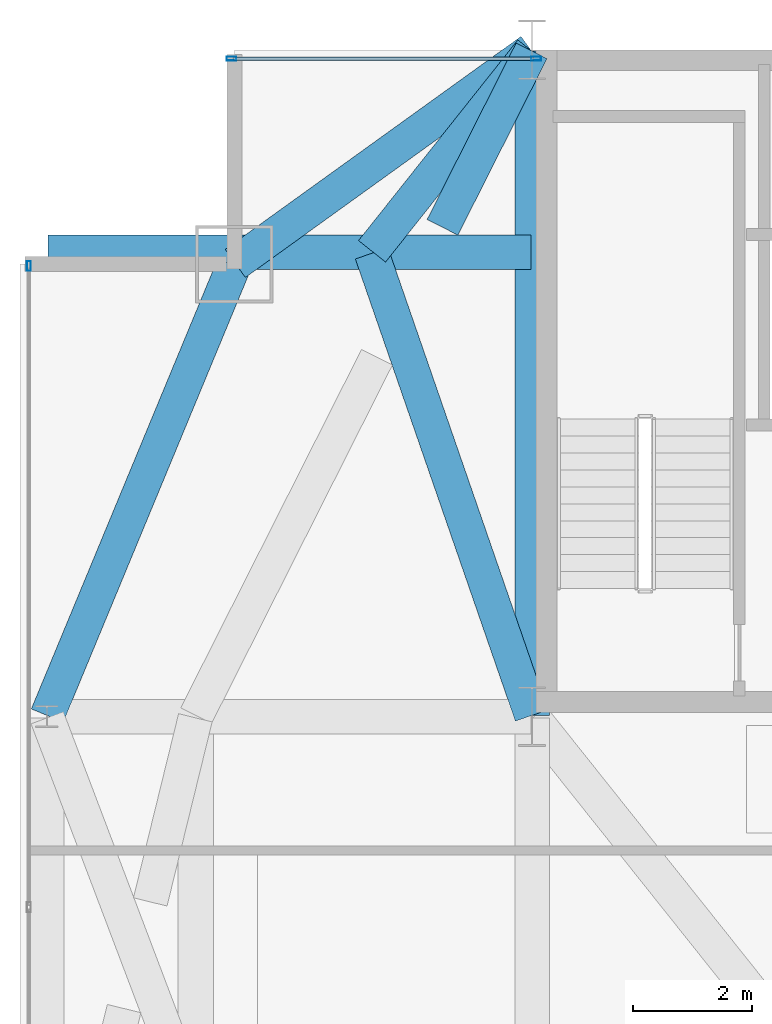
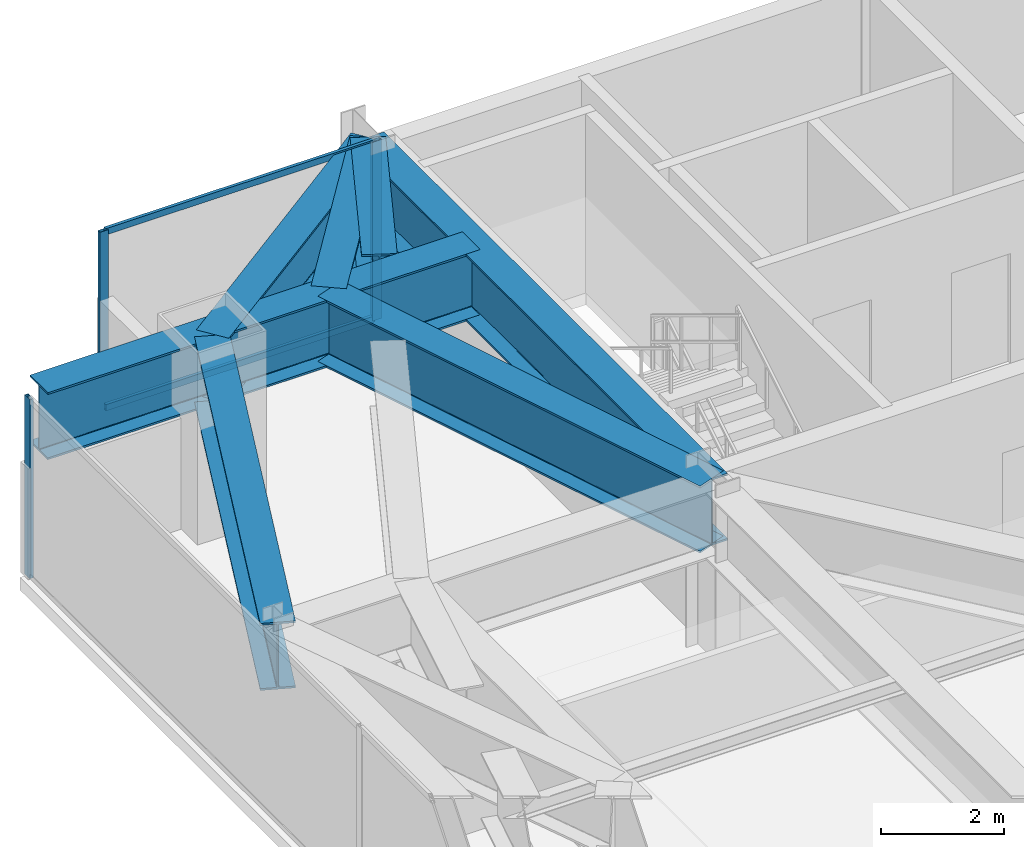
# One storey, part 20 of 26: 7 beams, 5 members, 2 elements without a shape of their own.
"""IFC4 building model written with IfcOpenShell, lengths in metres."""

import ifcopenshell
import ifcopenshell.guid

model = None  # the IFC model being written
_history = None  # IfcOwnerHistory: only IFC2X3 demands one
_inside = {}  # id of a spatial element -> (the spatial element, [elements in it])
_under = {}  # id of a project, library or spatial element -> (it, [spatial elements below it])
_declared = {}  # id of a project -> (the project, [libraries it declares])
_typed = {}  # id of a type object -> (the type object, [elements of that type])
_made_of = {}  # id of a material, layer set ... -> (it, [elements and type objects made of it])


def new_model(schema):
    """Start an empty IFC model of exactly this schema.

    Asked for "IFC4X3", IfcOpenShell would pick the latest addendum, in which some entities
    have other attributes; the version numbers below select the first issue.
    IFC2X3 requires an IfcOwnerHistory on every rooted entity: one is made here for all.
    """
    global model, _history
    if schema == "IFC4X3":
        model = ifcopenshell.file(schema_version=(4, 3, 0, 0))
    else:
        model = ifcopenshell.file(schema=schema)
    _inside.clear()
    _under.clear()
    _declared.clear()
    _typed.clear()
    _made_of.clear()
    _history = None
    if model.schema == "IFC2X3":
        org = make("IfcOrganization", Name="unknown")
        user = make(
            "IfcPersonAndOrganization",
            ThePerson=make("IfcPerson", FamilyName="unknown"),
            TheOrganization=org,
        )
        app = make(
            "IfcApplication",
            ApplicationDeveloper=org,
            Version="unknown",
            ApplicationFullName="unknown",
            ApplicationIdentifier="unknown",
        )
        _history = make(
            "IfcOwnerHistory",
            OwningUser=user,
            OwningApplication=app,
            ChangeAction="ADDED",
            CreationDate=0,
        )
    return model


def make(cls, **values):
    """One entity of the class cls with the attributes given. An attribute that is None is left unset."""
    return model.create_entity(
        cls, **{name: value for name, value in values.items() if value is not None}
    )


def rooted(cls, **values):
    """An entity with a GlobalId (a new one), such as an element, a storey or a relation."""
    return make(cls, GlobalId=ifcopenshell.guid.new(), OwnerHistory=_history, **values)


def si_unit(unit_type, name, prefix=None):
    """IfcSIUnit, for example si_unit("LENGTHUNIT", "METRE", prefix="MILLI")."""
    return make("IfcSIUnit", UnitType=unit_type, Prefix=prefix, Name=name)


def assignment(units):
    """IfcUnitAssignment: the units of a project."""
    return None if units is None else make("IfcUnitAssignment", Units=units)


def point(xyz):
    """IfcCartesianPoint."""
    return None if xyz is None else make("IfcCartesianPoint", Coordinates=xyz)


def direction(xyz):
    """IfcDirection."""
    return None if xyz is None else make("IfcDirection", DirectionRatios=xyz)


def frame(location, z_axis=None, x_axis=None):
    """IfcAxis2Placement3D, a coordinate frame: its origin and axes. An axis left out is left unset."""
    return make(
        "IfcAxis2Placement3D",
        Location=point(location),
        Axis=direction(z_axis),
        RefDirection=direction(x_axis),
    )


def frame_2d(location, x_axis=None):
    """IfcAxis2Placement2D, a coordinate frame in the plane: its origin and x axis."""
    return make(
        "IfcAxis2Placement2D", Location=point(location), RefDirection=direction(x_axis)
    )


def origin():
    """The frame at (0, 0, 0) with its axes left unset."""
    return frame((0.0, 0.0, 0.0))


def origin_2d():
    """The frame at (0, 0) in the plane with its x axis left unset."""
    return frame_2d((0.0, 0.0))


def place(relative_to, where):
    """IfcLocalPlacement: puts the frame where relative to a parent placement (None: the world)."""
    return make(
        "IfcLocalPlacement", PlacementRelTo=relative_to, RelativePlacement=where
    )


def context(
    kind, dimensions, precision=None, world=None, true_north=None, identifier=None
):
    """IfcGeometricRepresentationContext, for example the 3D "Model" context."""
    return make(
        "IfcGeometricRepresentationContext",
        ContextIdentifier=identifier,
        ContextType=kind,
        CoordinateSpaceDimension=dimensions,
        Precision=precision,
        WorldCoordinateSystem=world,
        TrueNorth=true_north,
    )


def subcontext(parent, identifier, kind, view, scale=None):
    """IfcGeometricRepresentationSubContext, for example "Body" below "Model"."""
    return make(
        "IfcGeometricRepresentationSubContext",
        ContextIdentifier=identifier,
        ContextType=kind,
        ParentContext=parent,
        TargetScale=scale,
        TargetView=view,
    )


def project(units=None, contexts=None):
    """IfcProject with its units and contexts."""
    return rooted(
        "IfcProject",
        Name="project",
        RepresentationContexts=contexts,
        UnitsInContext=assignment(units),
    )


def spatial(cls, under=None, at=None, **own):
    """A site, building, storey or space (cls), placed at a placement, below another one or the project."""
    s = rooted(cls, ObjectPlacement=at, **own)
    if under is not None:
        _under.setdefault(under.id(), (under, []))[1].append(s)
    return s


def profile(cls, at=None, kind="AREA", **sizes):
    """A parametric profile (cls). Its sizes go by their IFC names, for example OverallWidth=200.0."""
    return make(cls, ProfileType=kind, Position=at, **sizes)


def hollow_rectangle(**sizes):
    """IfcRectangleHollowProfileDef."""
    return profile("IfcRectangleHollowProfileDef", **sizes)


def i_section(**sizes):
    """IfcIShapeProfileDef."""
    return profile("IfcIShapeProfileDef", **sizes)


def extrude(swept, where, along, depth):
    """IfcExtrudedAreaSolid: the profile swept, set in the frame where, extruded along a direction by depth."""
    return make(
        "IfcExtrudedAreaSolid",
        SweptArea=swept,
        Position=where,
        ExtrudedDirection=direction(along),
        Depth=depth,
    )


def shape(context_of_items, identifier, shape_type, items):
    """IfcShapeRepresentation: the items that make up one representation, for example the "Body"."""
    return make(
        "IfcShapeRepresentation",
        ContextOfItems=context_of_items,
        RepresentationIdentifier=identifier,
        RepresentationType=shape_type,
        Items=items,
    )


def source(mapping_origin, context_of_items, identifier, shape_type, items):
    """IfcRepresentationMap: a shape defined once, which mapped items show again and again."""
    return make(
        "IfcRepresentationMap",
        MappingOrigin=mapping_origin,
        MappedRepresentation=shape(context_of_items, identifier, shape_type, items),
    )


def transform(
    local_origin,
    x_axis=None,
    y_axis=None,
    z_axis=None,
    scale=None,
    scale2=None,
    scale3=None,
    uniform=True,
):
    """IfcCartesianTransformationOperator3D, or its non-uniform kind. x_axis, y_axis, z_axis: its Axis1, 2, 3."""
    if uniform:
        return make(
            "IfcCartesianTransformationOperator3D",
            Axis1=direction(x_axis),
            Axis2=direction(y_axis),
            LocalOrigin=point(local_origin),
            Scale=scale,
            Axis3=direction(z_axis),
        )
    return make(
        "IfcCartesianTransformationOperator3DnonUniform",
        Axis1=direction(x_axis),
        Axis2=direction(y_axis),
        LocalOrigin=point(local_origin),
        Scale=scale,
        Axis3=direction(z_axis),
        Scale2=scale2,
        Scale3=scale3,
    )


def mapped(mapping_source, mapping_target):
    """IfcMappedItem: shows the shape of a source again, moved by a transform."""
    return make(
        "IfcMappedItem", MappingSource=mapping_source, MappingTarget=mapping_target
    )


def material(Name=None, Category=None):
    """IfcMaterial."""
    return make("IfcMaterial", Name=Name, Category=Category)


def layer(
    of_material, thickness, ventilated=None, Name=None, Category=None, Priority=None
):
    """IfcMaterialLayer: one layer of a wall or slab, of a material (None: an air gap)."""
    return make(
        "IfcMaterialLayer",
        Material=of_material,
        LayerThickness=thickness,
        IsVentilated=ventilated,
        Name=Name,
        Category=Category,
        Priority=Priority,
    )


def layer_set(layers, Name=None):
    """IfcMaterialLayerSet."""
    return make("IfcMaterialLayerSet", MaterialLayers=layers, LayerSetName=Name)


def material_profile(
    of_material, cross_section, Name=None, Category=None, Priority=None
):
    """IfcMaterialProfile: a cross section and its material."""
    return make(
        "IfcMaterialProfile",
        Name=Name,
        Material=of_material,
        Profile=cross_section,
        Priority=Priority,
        Category=Category,
    )


def profile_set(profiles, Name=None, composite=None):
    """IfcMaterialProfileSet."""
    return make(
        "IfcMaterialProfileSet",
        Name=Name,
        MaterialProfiles=profiles,
        CompositeProfile=composite,
    )


def made_of(thing, what):
    """Note that an element or type object is made of a material, layer set ...; save() writes the relation."""
    if what is not None:
        _made_of.setdefault(what.id(), (what, []))[1].append(thing)
    return thing


def type_object(cls, material=None, **own):
    """A type object (cls), such as IfcWallType, which elements share."""
    return made_of(rooted(cls, **own), material)


def type_shapes(of_type, sources):
    """Give a type object the sources (RepresentationMaps) that its elements show as mapped items."""
    of_type.RepresentationMaps = sources


def element(
    cls,
    number,
    at=None,
    inside=None,
    cuts=None,
    type_object=None,
    material=None,
    context=None,
    identifier="Body",
    shape_type=None,
    held_by="IfcProductDefinitionShape",
    body=None,
    shapes=None,
    **own,
):
    """One element of the class cls, such as IfcWall. Its Tag is "e" and its number.

    at: its placement. inside: the storey or other place that contains it. cuts: it is an
    opening in that element (IfcRelVoidsElement). A single representation is given by context,
    identifier, shape_type and body (its items); several are given by shapes. held_by: the class
    of the entity that holds the representations. save() writes the other relations.
    """
    e = rooted(cls, Tag="e%d" % number, ObjectPlacement=at, **own)
    if body is not None:
        shapes = [shape(context, identifier, shape_type, body)]
    if shapes is not None:
        e.Representation = make(held_by, Representations=shapes)
    if inside is not None:
        _inside.setdefault(inside.id(), (inside, []))[1].append(e)
    if cuts is not None:
        rooted(
            "IfcRelVoidsElement", RelatingBuildingElement=cuts, RelatedOpeningElement=e
        )
    if type_object is not None:
        _typed.setdefault(type_object.id(), (type_object, []))[1].append(e)
    return made_of(e, material)


def aggregate(whole, parts):
    """IfcRelAggregates: a whole, such as a stair, and the parts it consists of."""
    return rooted("IfcRelAggregates", RelatingObject=whole, RelatedObjects=parts)


def save(model, path):
    """Write the relations noted so far, then the file.

    IfcRelAggregates (storeys below a building ...), IfcRelContainedInSpatialStructure (elements
    in a storey), IfcRelDefinesByType, IfcRelAssociatesMaterial and IfcRelDeclares: one each for
    every whole, place, type object, material and project.
    """
    for whole, parts in _under.values():
        aggregate(whole, parts)
    for where, things in _inside.values():
        rooted(
            "IfcRelContainedInSpatialStructure",
            RelatedElements=things,
            RelatingStructure=where,
        )
    for kind, things in _typed.values():
        rooted("IfcRelDefinesByType", RelatedObjects=things, RelatingType=kind)
    for what, things in _made_of.values():
        rooted("IfcRelAssociatesMaterial", RelatedObjects=things, RelatingMaterial=what)
    for by, libraries in _declared.values():
        rooted("IfcRelDeclares", RelatingContext=by, RelatedDefinitions=libraries)
    model.write(path)


model = new_model("IFC4")

# Units and contexts
model_context = context("Model", 3, precision=1e-05, world=origin(), true_north=direction((0.0, 1.0)))
body_context = subcontext(model_context, "Body", "Model", "MODEL_VIEW")
ifc_project = project(units=[si_unit("LENGTHUNIT", "METRE"), si_unit("AREAUNIT", "SQUARE_METRE"), si_unit("VOLUMEUNIT", "CUBIC_METRE"), si_unit("PLANEANGLEUNIT", "RADIAN"), si_unit("MASSUNIT", "GRAM", prefix="KILO")], contexts=[model_context])

# Site, building, storey
site_placement = place(None, origin())
site = spatial("IfcSite", under=ifc_project, at=site_placement, CompositionType="ELEMENT")
building_placement = place(site_placement, origin())
building = spatial("IfcBuilding", under=site, at=building_placement, Name="Varnel Quay Broadcast Tower", CompositionType="ELEMENT")
storey_placement = place(building_placement, frame((0.0, 0.0, 196.0)))
storey = spatial("IfcBuildingStorey", under=building, at=storey_placement, Name="L48", CompositionType="ELEMENT", Elevation=196.0)

# Beams
ifc_material_1 = material(Name="Structural Steel CSA G40.21 350WT", Category="steel")
ifc_material_profile_1 = material_profile(ifc_material_1, i_section(OverallWidth=0.580078125, OverallDepth=1.330078125, WebThickness=0.02197265625, FlangeThickness=0.0380859375, FilletRadius=0.02001953125, at=origin_2d()), Name="WWF1330X535")
ifc_profile_set_1 = profile_set([ifc_material_profile_1], Name="Structural Steel CSA G40.21 350WT")
beam_type = type_object("IfcBeamType", Name="Girder_WWF1330X535", PredefinedType="BEAM", material=ifc_profile_set_1)
shared_shape_1 = source(origin(), body_context, "Body", "SweptSolid", [
    extrude(i_section(OverallWidth=0.580078125, OverallDepth=1.330078125, WebThickness=0.02197265625, FlangeThickness=0.0380859375, FilletRadius=0.02001953125, at=origin_2d()), origin(), (0.0, 0.0, 1.0), 11.159912109375),
])
beam_1_placement = place(storey_placement, frame((15.60009765625, 35.6201171875, 2.885009765625), z_axis=(0.0, 1.0, 0.0), x_axis=(-1.0, 0.0, 0.0)))
element("IfcBeam", 1, at=beam_1_placement, inside=storey, type_object=beam_type, Name="L48 West Core Spine", PredefinedType="BEAM", context=body_context, shape_type="MappedRepresentation", body=[
    mapped(shared_shape_1, transform((0.0, 0.0, 0.0), x_axis=(1.0, 0.0, 0.0), y_axis=(0.0, 1.0, 0.0), z_axis=(0.0, 0.0, 1.0), scale=1.0)),
])
shared_shape_2 = source(origin(), body_context, "Body", "SweptSolid", [
    extrude(i_section(OverallWidth=0.580078125, OverallDepth=1.330078125, WebThickness=0.02197265625, FlangeThickness=0.0380859375, FilletRadius=0.02001953125, at=origin_2d()), origin(), (0.0, 0.0, 1.0), 8.186767578125),
])
beam_2_placement = place(storey_placement, frame((7.457763671875, 35.618408203125, 2.885009765625), z_axis=(0.382874132092, 0.923800519038, 0.0), x_axis=(-0.923800519038, 0.382874132092, 0.0)))
element("IfcBeam", 2, at=beam_2_placement, inside=storey, type_object=beam_type, Name="L48 West Transfer Spine TC-W3-MC-NW", PredefinedType="BEAM", context=body_context, shape_type="MappedRepresentation", body=[
    mapped(shared_shape_2, transform((0.0, 0.0, 0.0), x_axis=(1.0, 0.0, 0.0), y_axis=(0.0, 1.0, 0.0), z_axis=(0.0, 0.0, 1.0), scale=1.0)),
])
shared_shape_3 = source(origin(), body_context, "Body", "SweptSolid", [
    extrude(i_section(OverallWidth=0.580078125, OverallDepth=1.330078125, WebThickness=0.02197265625, FlangeThickness=0.0380859375, FilletRadius=0.02001953125, at=origin_2d()), origin(), (0.0, 0.0, 1.0), 6.12109375),
])
beam_3_placement = place(storey_placement, frame((10.6162109375, 43.211669921875, 2.885009765625), z_axis=(0.811531315425, 0.584308928637, 0.0), x_axis=(-0.584308928637, 0.811531315425, 0.0)))
element("IfcBeam", 3, at=beam_3_placement, inside=storey, type_object=beam_type, Name="L48 NW Transfer Spine", PredefinedType="BEAM", context=body_context, shape_type="MappedRepresentation", body=[
    mapped(shared_shape_3, transform((0.0, 0.0, 0.0), x_axis=(1.0, 0.0, 0.0), y_axis=(0.0, 1.0, 0.0), z_axis=(0.0, 0.0, 1.0), scale=1.0)),
])
shared_shape_4 = source(origin(), body_context, "Body", "SweptSolid", [
    extrude(i_section(OverallWidth=0.580078125, OverallDepth=1.330078125, WebThickness=0.02197265625, FlangeThickness=0.0380859375, FilletRadius=0.02001953125, at=origin_2d()), origin(), (0.0, 0.0, 1.0), 8.110107421875),
])
beam_4_placement = place(storey_placement, frame((7.469970703125, 43.39990234375, 2.885009765625), z_axis=(1.0, 0.0, 0.0), x_axis=(0.0, 1.0, 0.0)))
element("IfcBeam", 4, at=beam_4_placement, inside=storey, type_object=beam_type, Name="L48 Setback NW Mega-Column Transfer", PredefinedType="BEAM", context=body_context, shape_type="MappedRepresentation", body=[
    mapped(shared_shape_4, transform((0.0, 0.0, 0.0), x_axis=(1.0, 0.0, 0.0), y_axis=(0.0, 1.0, 0.0), z_axis=(0.0, 0.0, 1.0), scale=1.0)),
])
shared_shape_5 = source(origin(), body_context, "Body", "SweptSolid", [
    extrude(i_section(OverallWidth=0.580078125, OverallDepth=1.330078125, WebThickness=0.02197265625, FlangeThickness=0.0380859375, FilletRadius=0.02001953125, at=origin_2d()), origin(), (0.0, 0.0, 1.0), 4.301513671875),
])
beam_5_placement = place(storey_placement, frame((15.587646484375, 46.7841796875, 2.885009765625), z_axis=(-0.621936399401, -0.783067758946, 0.0), x_axis=(0.783067758946, -0.621936399401, 0.0)))
element("IfcBeam", 5, at=beam_5_placement, inside=storey, type_object=beam_type, Name="L48 Nodal Transfer Tie MC-NW-CC-N1", PredefinedType="BEAM", context=body_context, shape_type="MappedRepresentation", body=[
    mapped(shared_shape_5, transform((0.0, 0.0, 0.0), x_axis=(1.0, 0.0, 0.0), y_axis=(0.0, 1.0, 0.0), z_axis=(0.0, 0.0, 1.0), scale=1.0)),
])
shared_shape_6 = source(origin(), body_context, "Body", "SweptSolid", [
    extrude(i_section(OverallWidth=0.580078125, OverallDepth=1.330078125, WebThickness=0.02197265625, FlangeThickness=0.0380859375, FilletRadius=0.02001953125, at=origin_2d()), origin(), (0.0, 0.0, 1.0), 8.214111328125),
])
beam_6_placement = place(storey_placement, frame((15.593505859375, 35.618896484375, 2.885009765625), z_axis=(-0.327120772227, 0.944982539721, 0.0), x_axis=(-0.944982539721, -0.327120772227, 0.0)))
element("IfcBeam", 6, at=beam_6_placement, inside=storey, type_object=beam_type, Name="L48 X-Braced Transfer Tie MC-NW-CC-S1", PredefinedType="BEAM", context=body_context, shape_type="MappedRepresentation", body=[
    mapped(shared_shape_6, transform((0.0, 0.0, 0.0), x_axis=(1.0, 0.0, 0.0), y_axis=(0.0, 1.0, 0.0), z_axis=(0.0, 0.0, 1.0), scale=1.0)),
])
shared_shape_7 = source(origin(), body_context, "Body", "SweptSolid", [
    extrude(i_section(OverallWidth=0.580078125, OverallDepth=1.330078125, WebThickness=0.02197265625, FlangeThickness=0.0380859375, FilletRadius=0.02001953125, at=origin_2d()), origin(), (0.0, 0.0, 1.0), 3.320068359375),
])
type_shapes(beam_type, [shared_shape_1, shared_shape_2, shared_shape_3, shared_shape_4, shared_shape_5, shared_shape_6, shared_shape_7])
beam_7_placement = place(storey_placement, frame((15.591064453125, 46.781982421875, 2.885009765625), z_axis=(-0.450416955511, -0.89281832765, 0.0), x_axis=(0.89281832765, -0.450416955511, 0.0)))
element("IfcBeam", 7, at=beam_7_placement, inside=storey, type_object=beam_type, Name="L48 X-Braced Transfer Tie TC-W3-CC-N1 Part 1", PredefinedType="BEAM", context=body_context, shape_type="MappedRepresentation", body=[
    mapped(shared_shape_7, transform((0.0, 0.0, 0.0), x_axis=(1.0, 0.0, 0.0), y_axis=(0.0, 1.0, 0.0), z_axis=(0.0, 0.0, 1.0), scale=1.0)),
])

# Curtain wall, member
ifc_material_2 = material(Name="Anodised Bronze Aluminium 6063-T6", Category="aluminium")
ifc_layer = layer(ifc_material_2, 0.18994140625, Name="Anodised Bronze Aluminium 6063-T6")
ifc_layer_set = layer_set([ifc_layer], Name="Anodised Bronze Aluminium 6063-T6")
curtain_wall_type = type_object("IfcCurtainWallType", Name="CW_UpperTower", PredefinedType="NOTDEFINED", material=ifc_layer_set)
curtain_wall_1_placement = place(storey_placement, origin())
curtain_wall_1 = element("IfcCurtainWall", 8, at=curtain_wall_1_placement, inside=storey, type_object=curtain_wall_type, Name="L48 West Unitised Curtain Wall", PredefinedType="NOTDEFINED")
ifc_material_profile_2 = material_profile(ifc_material_2, hollow_rectangle(XDim=0.06494140625, YDim=0.1650390625, WallThickness=0.00341796875, at=origin_2d()), Name="ALU65X165X3.5")
ifc_profile_set_2 = profile_set([ifc_material_profile_2], Name="Anodised Bronze Aluminium 6063-T6")
member_type_1 = type_object("IfcMemberType", Name="Mull_CWS-03", PredefinedType="MULLION", material=ifc_profile_set_2)
shared_shape_8 = source(origin(), body_context, "Body", "SweptSolid", [
    extrude(hollow_rectangle(XDim=0.06494140625, YDim=0.1650390625, WallThickness=0.00341796875, at=origin_2d()), origin(), (0.0, 0.0, 1.0), 3.550048828125),
])
type_shapes(member_type_1, [shared_shape_8])
member_1_placement = place(storey_placement, frame((7.14990234375, 43.16748046875, 0.0), z_axis=(0.0, 0.0, 1.0), x_axis=(-1.0, 0.0, 0.0)))
member_1 = element("IfcMember", 9, at=member_1_placement, type_object=member_type_1, Name="CWS-03 mullion 4", PredefinedType="MULLION", context=body_context, shape_type="MappedRepresentation", body=[
    mapped(shared_shape_8, transform((0.0, 0.0, 0.0), x_axis=(1.0, 0.0, 0.0), y_axis=(0.0, 1.0, 0.0), z_axis=(0.0, 0.0, 1.0), scale=1.0)),
])
aggregate(curtain_wall_1, [member_1])

# Curtain wall, members
curtain_wall_2_placement = place(storey_placement, origin())
curtain_wall_2 = element("IfcCurtainWall", 10, at=curtain_wall_2_placement, inside=storey, type_object=curtain_wall_type, Name="L48 NW Wing Curtain Wall", PredefinedType="NOTDEFINED")
member_2_placement = place(storey_placement, frame((10.552490234375, 46.64990234375, 0.0), z_axis=(0.0, 0.0, 1.0), x_axis=(0.0, 1.0, 0.0)))
member_2 = element("IfcMember", 11, at=member_2_placement, type_object=member_type_1, Name="CWS-03 mullion 1", PredefinedType="MULLION", context=body_context, shape_type="MappedRepresentation", body=[
    mapped(shared_shape_8, transform((0.0, 0.0, 0.0), x_axis=(1.0, 0.0, 0.0), y_axis=(0.0, 1.0, 0.0), z_axis=(0.0, 0.0, 1.0), scale=1.0)),
])
member_3_placement = place(storey_placement, frame((15.66748046875, 46.64990234375, 0.0), z_axis=(0.0, 0.0, 1.0), x_axis=(0.0, 1.0, 0.0)))
member_3 = element("IfcMember", 12, at=member_3_placement, type_object=member_type_1, Name="CWS-03 mullion 2", PredefinedType="MULLION", context=body_context, shape_type="MappedRepresentation", body=[
    mapped(shared_shape_8, transform((0.0, 0.0, 0.0), x_axis=(1.0, 0.0, 0.0), y_axis=(0.0, 1.0, 0.0), z_axis=(0.0, 0.0, 1.0), scale=1.0)),
])
ifc_material_profile_3 = material_profile(ifc_material_2, hollow_rectangle(XDim=0.06005859375, YDim=0.125, WallThickness=0.0029296875, at=origin_2d()), Name="ALU60X125X3")
ifc_profile_set_3 = profile_set([ifc_material_profile_3], Name="Anodised Bronze Aluminium 6063-T6")
member_type_2 = type_object("IfcMemberType", Name="Tran_CWS-03", PredefinedType="USERDEFINED", material=ifc_profile_set_3)
shared_shape_9 = source(origin(), body_context, "Body", "SweptSolid", [
    extrude(hollow_rectangle(XDim=0.06005859375, YDim=0.125, WallThickness=0.0029296875, at=origin_2d()), origin(), (0.0, 0.0, 1.0), 5.050048828125),
])
type_shapes(member_type_2, [shared_shape_9])
member_4_placement = place(storey_placement, frame((10.5849609375, 46.64990234375, 0.030029296875), z_axis=(1.0, 0.0, 0.0), x_axis=(0.0, 1.0, 0.0)))
member_4 = element("IfcMember", 13, at=member_4_placement, type_object=member_type_2, Name="CWS-03 transom 1.1", ObjectType="TRANSOM", PredefinedType="USERDEFINED", context=body_context, shape_type="MappedRepresentation", body=[
    mapped(shared_shape_9, transform((0.0, 0.0, 0.0), x_axis=(1.0, 0.0, 0.0), y_axis=(0.0, 1.0, 0.0), z_axis=(0.0, 0.0, 1.0), scale=1.0)),
])
member_5_placement = place(storey_placement, frame((10.5849609375, 46.64990234375, 3.52001953125), z_axis=(1.0, 0.0, 0.0), x_axis=(0.0, 1.0, 0.0)))
member_5 = element("IfcMember", 14, at=member_5_placement, type_object=member_type_2, Name="CWS-03 transom 1.2", ObjectType="TRANSOM", PredefinedType="USERDEFINED", context=body_context, shape_type="MappedRepresentation", body=[
    mapped(shared_shape_9, transform((0.0, 0.0, 0.0), x_axis=(1.0, 0.0, 0.0), y_axis=(0.0, 1.0, 0.0), z_axis=(0.0, 0.0, 1.0), scale=1.0)),
])
aggregate(curtain_wall_2, [member_2, member_3, member_4, member_5])

save(model, "model.ifc")
